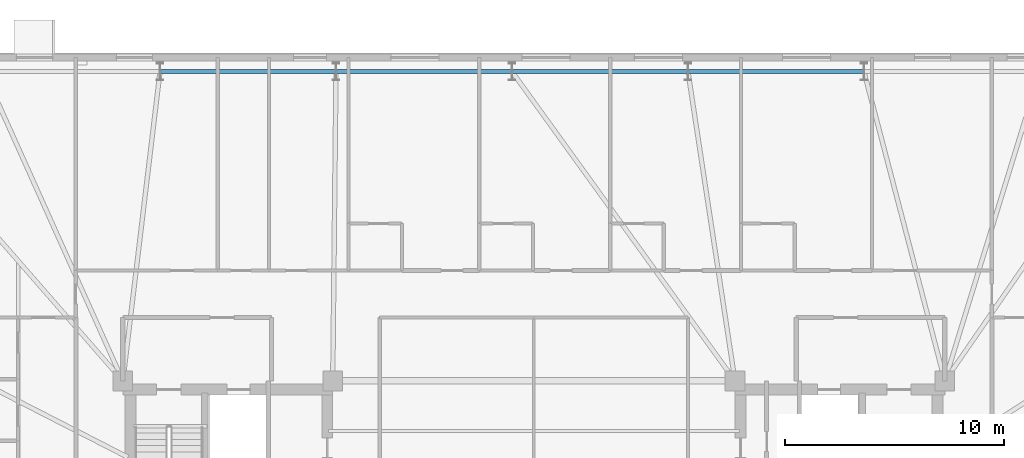
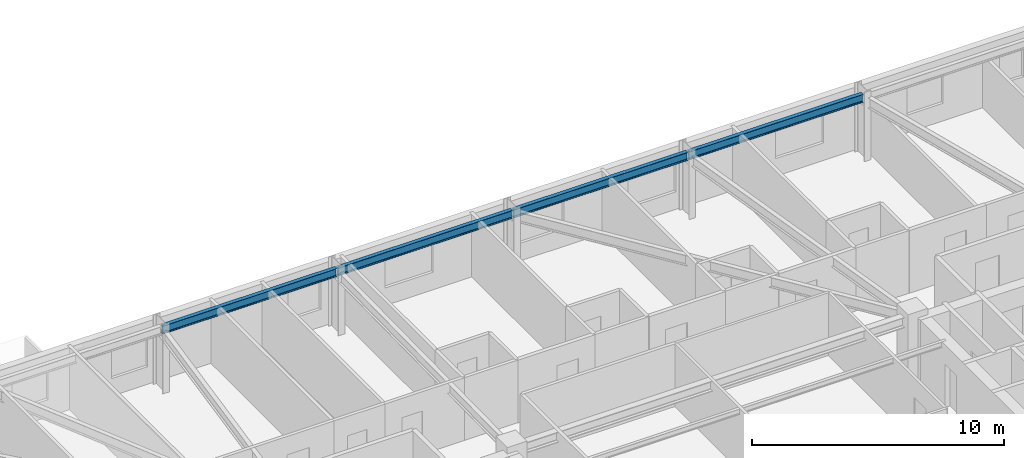
# One storey, part 8 of 19: 4 beams.
"""IFC4 building model written with IfcOpenShell, lengths in metres."""

from ifc_helpers import new_model, si_unit, direction, frame, origin, origin_2d, place, context, subcontext, project, spatial, i_section, extrude, material, material_profile, profile_set, type_object, element, save


model = new_model("IFC4")

# Units and contexts
model_context = context("Model", 3, precision=1e-05, world=origin(), true_north=direction((0.0, 1.0)))
body_context = subcontext(model_context, "Body", "Model", "MODEL_VIEW")
ifc_project = project(units=[si_unit("LENGTHUNIT", "METRE"), si_unit("AREAUNIT", "SQUARE_METRE"), si_unit("VOLUMEUNIT", "CUBIC_METRE"), si_unit("PLANEANGLEUNIT", "RADIAN"), si_unit("MASSUNIT", "GRAM", prefix="KILO")], contexts=[model_context])

# Site, building, storey
site_placement = place(None, origin())
site = spatial("IfcSite", under=ifc_project, at=site_placement, CompositionType="ELEMENT")
building_placement = place(site_placement, origin())
building = spatial("IfcBuilding", under=site, at=building_placement, Name="Qobustan Lattice House", CompositionType="ELEMENT")
storey_placement = place(building_placement, frame((0.0, 0.0, 137.699951171875)))
storey = spatial("IfcBuildingStorey", under=building, at=storey_placement, Name="L38", CompositionType="ELEMENT", Elevation=137.699951171875)

# Beams
ifc_material = material(Name="Steel S355", Category="steel")
ifc_material_profile = material_profile(ifc_material, i_section(OverallWidth=0.179931640625, OverallDepth=0.39990234375, WebThickness=0.008544921875, FlangeThickness=0.013427734375, FilletRadius=0.02099609375, at=origin_2d()), Name="IPE400")
ifc_profile_set = profile_set([ifc_material_profile], Name="Steel S355")
beam_type = type_object("IfcBeamType", Name="BM-SPD-IPE400", PredefinedType="SPANDREL", material=ifc_profile_set)
for number, where, z_axis, x_axis, name in (
    (1, (15.074951171875, 19.75, 2.840087890625), (-1.0, 0.0, 0.0), (0.0, -1.0, 0.0), "L38 perimeter spandrel N2-N3"),
    (2, (7.02490234375, 19.75, 2.840087890625), (-1.0, 0.0, 0.0), (0.0, -1.0, 0.0), "L38 perimeter spandrel N3-N4"),
    (3, (-1.02490234375, 19.75, 2.840087890625), (-1.0, 0.0, 0.0), (0.0, -1.0, 0.0), "L38 perimeter spandrel N4-N5"),
    (4, (-9.074951171875, 19.75, 2.840087890625), (-1.0, 0.0, 0.0), (0.0, -1.0, 0.0), "L38 perimeter spandrel N5-N6"),
):
    element("IfcBeam", number, at=place(storey_placement, frame(where, z_axis=z_axis, x_axis=x_axis)), inside=storey, type_object=beam_type, Name=name, PredefinedType="SPANDREL", context=body_context, shape_type="SweptSolid", body=[
        extrude(i_section(OverallWidth=0.179931640625, OverallDepth=0.39990234375, WebThickness=0.008544921875, FlangeThickness=0.013427734375, FilletRadius=0.02099609375, at=origin_2d()), origin(), (0.0, 0.0, 1.0), 8.0),
    ])

save(model, "model.ifc")
